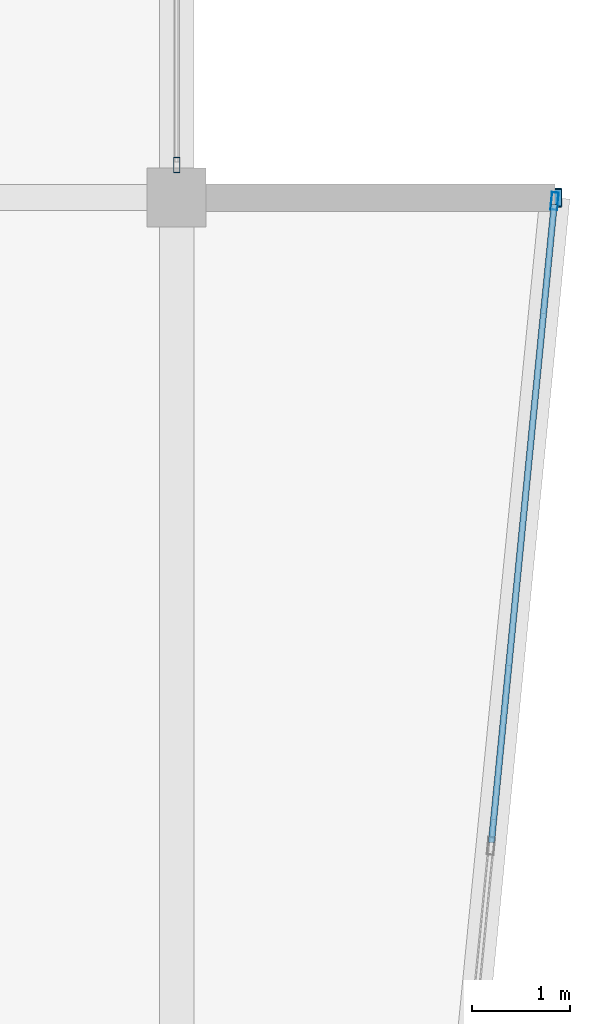
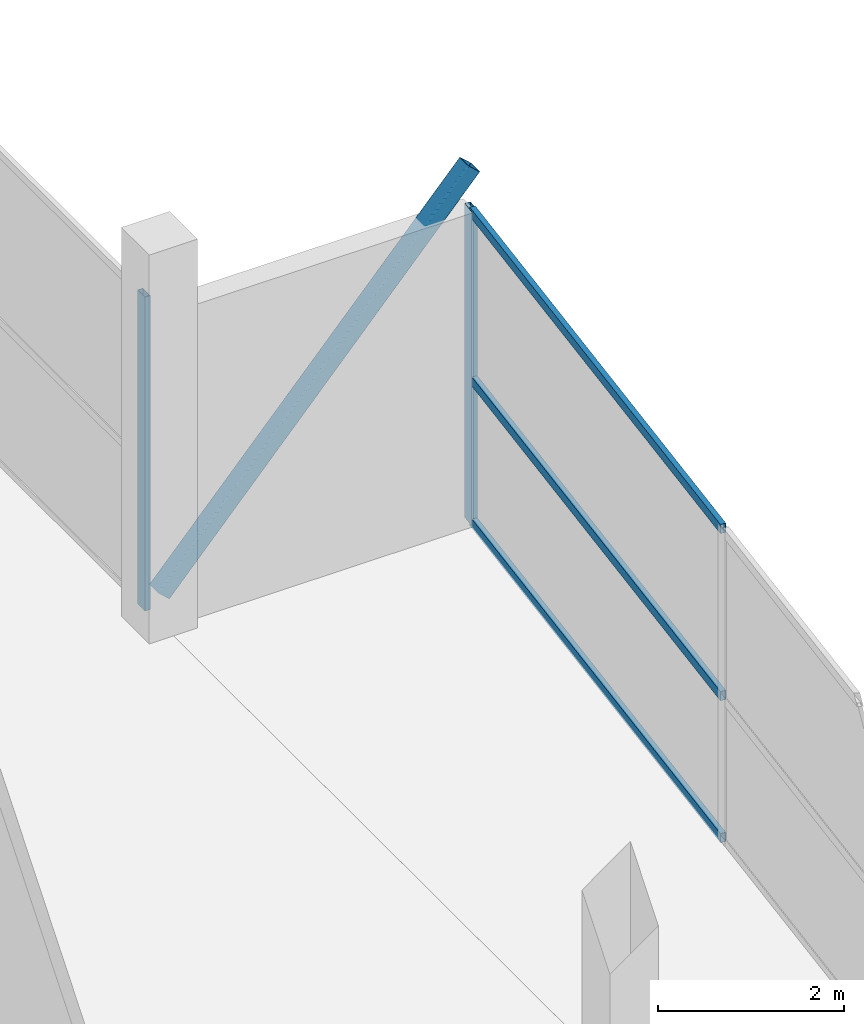
# One storey, part 20 of 66: 6 members, 2 elements without a shape of their own.
"""IFC4 building model written with IfcOpenShell, lengths in metres."""

from ifc_helpers import new_model, si_unit, direction, frame, origin, origin_2d, place, context, subcontext, project, spatial, hollow_rectangle, extrude, material, layer, layer_set, material_profile, profile_set, type_object, element, aggregate, save


model = new_model("IFC4")

# Units and contexts
model_context = context("Model", 3, precision=1e-05, world=origin(), true_north=direction((0.0, 1.0)))
body_context = subcontext(model_context, "Body", "Model", "MODEL_VIEW")
ifc_project = project(units=[si_unit("LENGTHUNIT", "METRE"), si_unit("AREAUNIT", "SQUARE_METRE"), si_unit("VOLUMEUNIT", "CUBIC_METRE"), si_unit("PLANEANGLEUNIT", "RADIAN"), si_unit("MASSUNIT", "GRAM", prefix="KILO")], contexts=[model_context])

# Site, building, storey
site_placement = place(None, origin())
site = spatial("IfcSite", under=ifc_project, at=site_placement, CompositionType="ELEMENT")
building_placement = place(site_placement, origin())
building = spatial("IfcBuilding", under=site, at=building_placement, Name="Sillaruma Civic Art Gallery", CompositionType="ELEMENT")
storey_placement = place(building_placement, frame((0.0, 0.0, 57.1201171875)))
storey = spatial("IfcBuildingStorey", under=building, at=storey_placement, Name="L11", CompositionType="ELEMENT", Elevation=57.1201171875)

# Curtain wall, member
ifc_material_1 = material(Name="Thermally Broken Extruded Aluminium 6063-T6", Category="aluminium")
ifc_layer_1 = layer(ifc_material_1, 0.159912109375, Name="Thermally Broken Extruded Aluminium 6063-T6")
ifc_layer_set_1 = layer_set([ifc_layer_1], Name="Thermally Broken Extruded Aluminium 6063-T6")
curtain_wall_type_1 = type_object("IfcCurtainWallType", Name="CW-UNI-81", PredefinedType="NOTDEFINED", material=ifc_layer_set_1)
curtain_wall_1_placement = place(storey_placement, origin())
curtain_wall_1 = element("IfcCurtainWall", 1, at=curtain_wall_1_placement, inside=storey, type_object=curtain_wall_type_1, Name="Unitised Curtain Wall CW-81 (CW-L11-EBE-4)", PredefinedType="NOTDEFINED")
ifc_material_profile_1 = material_profile(ifc_material_1, hollow_rectangle(XDim=0.06494140625, YDim=0.159912109375, WallThickness=0.00390625, at=origin_2d()), Name="CWM65x160")
ifc_profile_set_1 = profile_set([ifc_material_profile_1], Name="Thermally Broken Extruded Aluminium 6063-T6")
member_type_1 = type_object("IfcMemberType", Name="MEM-MUL-CWM65x160", PredefinedType="MULLION", material=ifc_profile_set_1)
member_1_placement = place(storey_placement, frame((114.39990234375, 49.83251953125, 0.0), z_axis=(0.0, 0.0, 1.0), x_axis=(-1.0, 0.0, 0.0)))
member_1 = element("IfcMember", 2, at=member_1_placement, type_object=member_type_1, Name="CW-81 mullion 1", PredefinedType="MULLION", context=body_context, shape_type="SweptSolid", body=[
    extrude(hollow_rectangle(XDim=0.06494140625, YDim=0.159912109375, WallThickness=0.00390625, at=origin_2d()), origin(), (0.0, 0.0, 1.0), 4.119873046875),
])
aggregate(curtain_wall_1, [member_1])

ifc_layer_2 = layer(ifc_material_1, 0.179931640625, Name="Thermally Broken Extruded Aluminium 6063-T6")
ifc_layer_set_2 = layer_set([ifc_layer_2], Name="Thermally Broken Extruded Aluminium 6063-T6")
curtain_wall_type_2 = type_object("IfcCurtainWallType", Name="CW-UNI-88", PredefinedType="NOTDEFINED", material=ifc_layer_set_2)
curtain_wall_2_placement = place(storey_placement, origin())
curtain_wall_2 = element("IfcCurtainWall", 3, at=curtain_wall_2_placement, inside=storey, type_object=curtain_wall_type_2, Name="Unitised Curtain Wall CW-88 (CW-PRW-L11-E-ANG)", PredefinedType="NOTDEFINED")
ifc_material_profile_2 = material_profile(ifc_material_1, hollow_rectangle(XDim=0.070068359375, YDim=0.179931640625, WallThickness=0.00390625, at=origin_2d()), Name="CWM70x180")
ifc_profile_set_2 = profile_set([ifc_material_profile_2], Name="Thermally Broken Extruded Aluminium 6063-T6")
member_type_2 = type_object("IfcMemberType", Name="MEM-MUL-CWM70x180", PredefinedType="MULLION", material=ifc_profile_set_2)
member_2_placement = place(storey_placement, frame((118.24658203125, 49.465087890625, 0.0), z_axis=(0.0, 0.0, 1.0), x_axis=(-0.99518536297, 0.098010679679, 0.0)))
member_2 = element("IfcMember", 4, at=member_2_placement, type_object=member_type_2, Name="CW-88 mullion 4", PredefinedType="MULLION", context=body_context, shape_type="SweptSolid", body=[
    extrude(hollow_rectangle(XDim=0.070068359375, YDim=0.179931640625, WallThickness=0.00390625, at=origin_2d()), origin(), (0.0, 0.0, 1.0), 4.119873046875),
])

# Member
ifc_material_2 = material(Name="Structural Steel ASTM A500 Gr.C", Category="steel")
ifc_material_profile_3 = material_profile(ifc_material_2, hollow_rectangle(XDim=0.199951171875, YDim=0.199951171875, WallThickness=0.010009765625, InnerFilletRadius=0.010009765625, OuterFilletRadius=0.02001953125, at=origin_2d()), Name="HSS200x200x10")
ifc_profile_set_3 = profile_set([ifc_material_profile_3], Name="Structural Steel ASTM A500 Gr.C")
member_type_3 = type_object("IfcMemberType", Name="MEM-PROW-BRACE", PredefinedType="BRACE", material=ifc_profile_set_3)
member_3_placement = place(storey_placement, frame((114.39990234375, 49.5, 0.39990234375), z_axis=(0.6709979932, 0.0, 0.741459164838), x_axis=(0.0, 1.0, 0.0)))
element("IfcMember", 5, at=member_3_placement, inside=storey, type_object=member_type_3, Name="Deconstructivist Prow Diagonal Brace (PRW-L11-E-ROF-N)", PredefinedType="BRACE", context=body_context, shape_type="SweptSolid", body=[
    extrude(hollow_rectangle(XDim=0.199951171875, YDim=0.199951171875, WallThickness=0.010009765625, InnerFilletRadius=0.010009765625, OuterFilletRadius=0.02001953125, at=origin_2d()), origin(), (0.0, 0.0, 1.0), 5.73779296875),
])

ifc_material_profile_4 = material_profile(ifc_material_1, hollow_rectangle(XDim=0.06494140625, YDim=0.1201171875, WallThickness=0.00341796875, at=origin_2d()), Name="CWT65x120")
ifc_profile_set_4 = profile_set([ifc_material_profile_4], Name="Thermally Broken Extruded Aluminium 6063-T6")
member_type_4 = type_object("IfcMemberType", Name="MEM-TRN-CWT65x120", PredefinedType="USERDEFINED", material=ifc_profile_set_4)
member_4_placement = place(storey_placement, frame((117.603515625, 42.934814453125, 0.032470703125), z_axis=(0.098000015132, 0.995186413208, 0.0), x_axis=(-0.995186413208, 0.098000015132, 0.0)))
member_4 = element("IfcMember", 6, at=member_4_placement, type_object=member_type_4, Name="CW-88 transom 3.1", ObjectType="TRANSOM", PredefinedType="USERDEFINED", context=body_context, shape_type="SweptSolid", body=[
    extrude(hollow_rectangle(XDim=0.06494140625, YDim=0.1201171875, WallThickness=0.00341796875, at=origin_2d()), origin(), (0.0, 0.0, 1.0), 6.527099609375),
])

member_5_placement = place(storey_placement, frame((117.603515625, 42.934814453125, 1.89501953125), z_axis=(0.098000015132, 0.995186413208, 0.0), x_axis=(-0.995186413208, 0.098000015132, 0.0)))
member_5 = element("IfcMember", 7, at=member_5_placement, type_object=member_type_4, Name="CW-88 transom 3.2", ObjectType="TRANSOM", PredefinedType="USERDEFINED", context=body_context, shape_type="SweptSolid", body=[
    extrude(hollow_rectangle(XDim=0.06494140625, YDim=0.1201171875, WallThickness=0.00341796875, at=origin_2d()), origin(), (0.0, 0.0, 1.0), 6.527099609375),
])

member_6_placement = place(storey_placement, frame((117.603515625, 42.934814453125, 4.08740234375), z_axis=(0.098000015132, 0.995186413208, 0.0), x_axis=(-0.995186413208, 0.098000015132, 0.0)))
member_6 = element("IfcMember", 8, at=member_6_placement, type_object=member_type_4, Name="CW-88 transom 3.3", ObjectType="TRANSOM", PredefinedType="USERDEFINED", context=body_context, shape_type="SweptSolid", body=[
    extrude(hollow_rectangle(XDim=0.06494140625, YDim=0.1201171875, WallThickness=0.00341796875, at=origin_2d()), origin(), (0.0, 0.0, 1.0), 6.527099609375),
])

aggregate(curtain_wall_2, [member_2, member_4, member_5, member_6])

save(model, "model.ifc")
